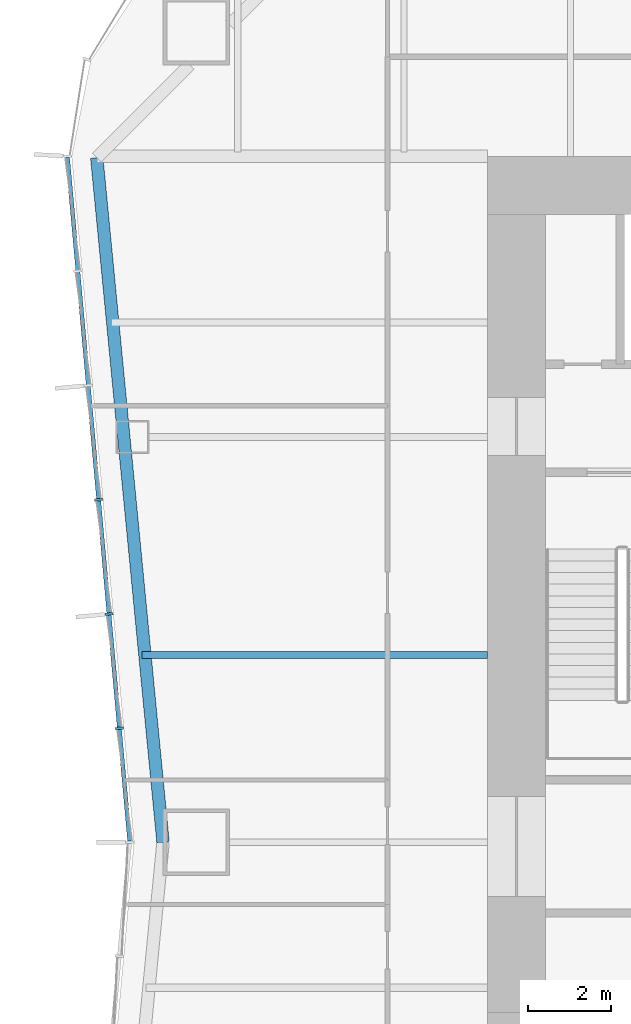
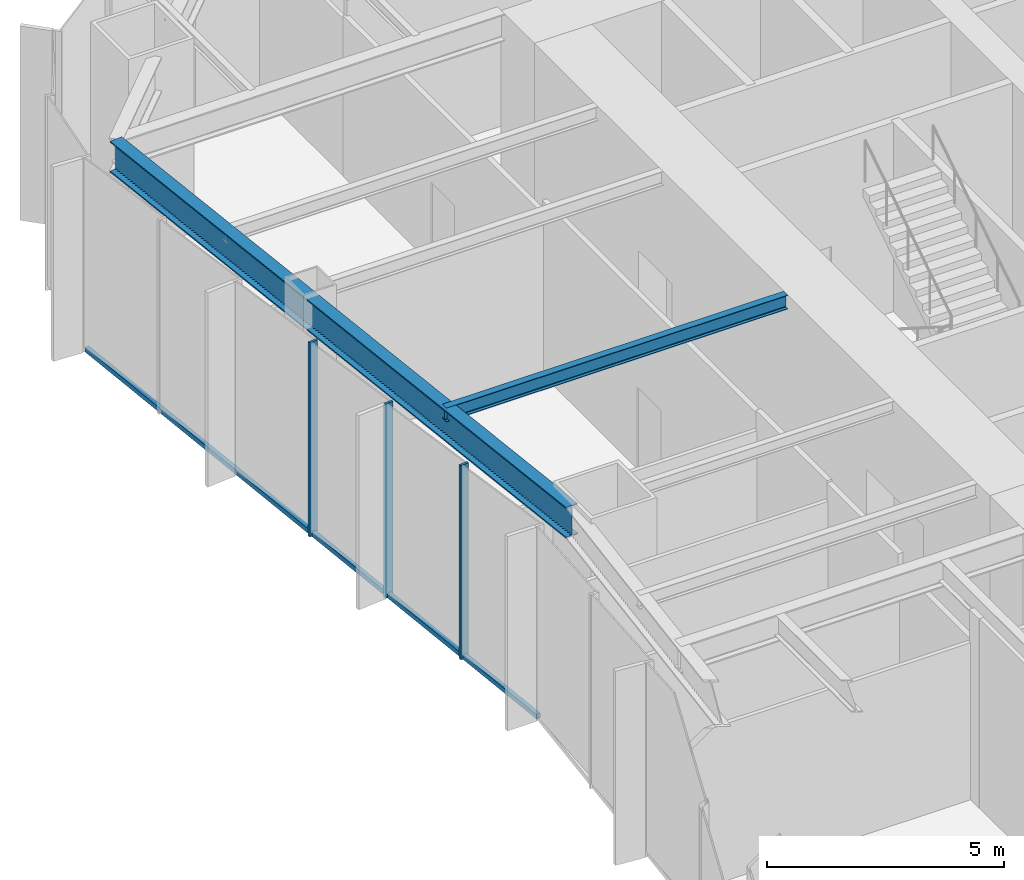
# One storey, part 3 of 14: 4 members, 2 beams, 1 element without a shape of its own.
"""IFC4 building model written with IfcOpenShell, lengths in metres."""

import ifcopenshell
import ifcopenshell.guid

model = None  # the IFC model being written
_history = None  # IfcOwnerHistory: only IFC2X3 demands one
_inside = {}  # id of a spatial element -> (the spatial element, [elements in it])
_under = {}  # id of a project, library or spatial element -> (it, [spatial elements below it])
_declared = {}  # id of a project -> (the project, [libraries it declares])
_typed = {}  # id of a type object -> (the type object, [elements of that type])
_made_of = {}  # id of a material, layer set ... -> (it, [elements and type objects made of it])


def new_model(schema):
    """Start an empty IFC model of exactly this schema.

    Asked for "IFC4X3", IfcOpenShell would pick the latest addendum, in which some entities
    have other attributes; the version numbers below select the first issue.
    IFC2X3 requires an IfcOwnerHistory on every rooted entity: one is made here for all.
    """
    global model, _history
    if schema == "IFC4X3":
        model = ifcopenshell.file(schema_version=(4, 3, 0, 0))
    else:
        model = ifcopenshell.file(schema=schema)
    _inside.clear()
    _under.clear()
    _declared.clear()
    _typed.clear()
    _made_of.clear()
    _history = None
    if model.schema == "IFC2X3":
        org = make("IfcOrganization", Name="unknown")
        user = make(
            "IfcPersonAndOrganization",
            ThePerson=make("IfcPerson", FamilyName="unknown"),
            TheOrganization=org,
        )
        app = make(
            "IfcApplication",
            ApplicationDeveloper=org,
            Version="unknown",
            ApplicationFullName="unknown",
            ApplicationIdentifier="unknown",
        )
        _history = make(
            "IfcOwnerHistory",
            OwningUser=user,
            OwningApplication=app,
            ChangeAction="ADDED",
            CreationDate=0,
        )
    return model


def make(cls, **values):
    """One entity of the class cls with the attributes given. An attribute that is None is left unset."""
    return model.create_entity(
        cls, **{name: value for name, value in values.items() if value is not None}
    )


def rooted(cls, **values):
    """An entity with a GlobalId (a new one), such as an element, a storey or a relation."""
    return make(cls, GlobalId=ifcopenshell.guid.new(), OwnerHistory=_history, **values)


def si_unit(unit_type, name, prefix=None):
    """IfcSIUnit, for example si_unit("LENGTHUNIT", "METRE", prefix="MILLI")."""
    return make("IfcSIUnit", UnitType=unit_type, Prefix=prefix, Name=name)


def assignment(units):
    """IfcUnitAssignment: the units of a project."""
    return None if units is None else make("IfcUnitAssignment", Units=units)


def point(xyz):
    """IfcCartesianPoint."""
    return None if xyz is None else make("IfcCartesianPoint", Coordinates=xyz)


def direction(xyz):
    """IfcDirection."""
    return None if xyz is None else make("IfcDirection", DirectionRatios=xyz)


def frame(location, z_axis=None, x_axis=None):
    """IfcAxis2Placement3D, a coordinate frame: its origin and axes. An axis left out is left unset."""
    return make(
        "IfcAxis2Placement3D",
        Location=point(location),
        Axis=direction(z_axis),
        RefDirection=direction(x_axis),
    )


def frame_2d(location, x_axis=None):
    """IfcAxis2Placement2D, a coordinate frame in the plane: its origin and x axis."""
    return make(
        "IfcAxis2Placement2D", Location=point(location), RefDirection=direction(x_axis)
    )


def origin():
    """The frame at (0, 0, 0) with its axes left unset."""
    return frame((0.0, 0.0, 0.0))


def origin_2d():
    """The frame at (0, 0) in the plane with its x axis left unset."""
    return frame_2d((0.0, 0.0))


def place(relative_to, where):
    """IfcLocalPlacement: puts the frame where relative to a parent placement (None: the world)."""
    return make(
        "IfcLocalPlacement", PlacementRelTo=relative_to, RelativePlacement=where
    )


def context(
    kind, dimensions, precision=None, world=None, true_north=None, identifier=None
):
    """IfcGeometricRepresentationContext, for example the 3D "Model" context."""
    return make(
        "IfcGeometricRepresentationContext",
        ContextIdentifier=identifier,
        ContextType=kind,
        CoordinateSpaceDimension=dimensions,
        Precision=precision,
        WorldCoordinateSystem=world,
        TrueNorth=true_north,
    )


def subcontext(parent, identifier, kind, view, scale=None):
    """IfcGeometricRepresentationSubContext, for example "Body" below "Model"."""
    return make(
        "IfcGeometricRepresentationSubContext",
        ContextIdentifier=identifier,
        ContextType=kind,
        ParentContext=parent,
        TargetScale=scale,
        TargetView=view,
    )


def project(units=None, contexts=None):
    """IfcProject with its units and contexts."""
    return rooted(
        "IfcProject",
        Name="project",
        RepresentationContexts=contexts,
        UnitsInContext=assignment(units),
    )


def spatial(cls, under=None, at=None, **own):
    """A site, building, storey or space (cls), placed at a placement, below another one or the project."""
    s = rooted(cls, ObjectPlacement=at, **own)
    if under is not None:
        _under.setdefault(under.id(), (under, []))[1].append(s)
    return s


def profile(cls, at=None, kind="AREA", **sizes):
    """A parametric profile (cls). Its sizes go by their IFC names, for example OverallWidth=200.0."""
    return make(cls, ProfileType=kind, Position=at, **sizes)


def rectangle(**sizes):
    """IfcRectangleProfileDef."""
    return profile("IfcRectangleProfileDef", **sizes)


def i_section(**sizes):
    """IfcIShapeProfileDef."""
    return profile("IfcIShapeProfileDef", **sizes)


def extrude(swept, where, along, depth):
    """IfcExtrudedAreaSolid: the profile swept, set in the frame where, extruded along a direction by depth."""
    return make(
        "IfcExtrudedAreaSolid",
        SweptArea=swept,
        Position=where,
        ExtrudedDirection=direction(along),
        Depth=depth,
    )


def shape(context_of_items, identifier, shape_type, items):
    """IfcShapeRepresentation: the items that make up one representation, for example the "Body"."""
    return make(
        "IfcShapeRepresentation",
        ContextOfItems=context_of_items,
        RepresentationIdentifier=identifier,
        RepresentationType=shape_type,
        Items=items,
    )


def material(Name=None, Category=None):
    """IfcMaterial."""
    return make("IfcMaterial", Name=Name, Category=Category)


def material_profile(
    of_material, cross_section, Name=None, Category=None, Priority=None
):
    """IfcMaterialProfile: a cross section and its material."""
    return make(
        "IfcMaterialProfile",
        Name=Name,
        Material=of_material,
        Profile=cross_section,
        Priority=Priority,
        Category=Category,
    )


def profile_set(profiles, Name=None, composite=None):
    """IfcMaterialProfileSet."""
    return make(
        "IfcMaterialProfileSet",
        Name=Name,
        MaterialProfiles=profiles,
        CompositeProfile=composite,
    )


def made_of(thing, what):
    """Note that an element or type object is made of a material, layer set ...; save() writes the relation."""
    if what is not None:
        _made_of.setdefault(what.id(), (what, []))[1].append(thing)
    return thing


def type_object(cls, material=None, **own):
    """A type object (cls), such as IfcWallType, which elements share."""
    return made_of(rooted(cls, **own), material)


def element(
    cls,
    number,
    at=None,
    inside=None,
    cuts=None,
    type_object=None,
    material=None,
    context=None,
    identifier="Body",
    shape_type=None,
    held_by="IfcProductDefinitionShape",
    body=None,
    shapes=None,
    **own,
):
    """One element of the class cls, such as IfcWall. Its Tag is "e" and its number.

    at: its placement. inside: the storey or other place that contains it. cuts: it is an
    opening in that element (IfcRelVoidsElement). A single representation is given by context,
    identifier, shape_type and body (its items); several are given by shapes. held_by: the class
    of the entity that holds the representations. save() writes the other relations.
    """
    e = rooted(cls, Tag="e%d" % number, ObjectPlacement=at, **own)
    if body is not None:
        shapes = [shape(context, identifier, shape_type, body)]
    if shapes is not None:
        e.Representation = make(held_by, Representations=shapes)
    if inside is not None:
        _inside.setdefault(inside.id(), (inside, []))[1].append(e)
    if cuts is not None:
        rooted(
            "IfcRelVoidsElement", RelatingBuildingElement=cuts, RelatedOpeningElement=e
        )
    if type_object is not None:
        _typed.setdefault(type_object.id(), (type_object, []))[1].append(e)
    return made_of(e, material)


def aggregate(whole, parts):
    """IfcRelAggregates: a whole, such as a stair, and the parts it consists of."""
    return rooted("IfcRelAggregates", RelatingObject=whole, RelatedObjects=parts)


def save(model, path):
    """Write the relations noted so far, then the file.

    IfcRelAggregates (storeys below a building ...), IfcRelContainedInSpatialStructure (elements
    in a storey), IfcRelDefinesByType, IfcRelAssociatesMaterial and IfcRelDeclares: one each for
    every whole, place, type object, material and project.
    """
    for whole, parts in _under.values():
        aggregate(whole, parts)
    for where, things in _inside.values():
        rooted(
            "IfcRelContainedInSpatialStructure",
            RelatedElements=things,
            RelatingStructure=where,
        )
    for kind, things in _typed.values():
        rooted("IfcRelDefinesByType", RelatedObjects=things, RelatingType=kind)
    for what, things in _made_of.values():
        rooted("IfcRelAssociatesMaterial", RelatedObjects=things, RelatingMaterial=what)
    for by, libraries in _declared.values():
        rooted("IfcRelDeclares", RelatingContext=by, RelatedDefinitions=libraries)
    model.write(path)


model = new_model("IFC4")

# Units and contexts
model_context = context("Model", 3, precision=1e-05, world=origin(), true_north=direction((0.0, 1.0)))
body_context = subcontext(model_context, "Body", "Model", "MODEL_VIEW")
ifc_project = project(units=[si_unit("LENGTHUNIT", "METRE"), si_unit("AREAUNIT", "SQUARE_METRE"), si_unit("VOLUMEUNIT", "CUBIC_METRE"), si_unit("PLANEANGLEUNIT", "RADIAN"), si_unit("MASSUNIT", "GRAM", prefix="KILO")], contexts=[model_context])

# Site, building, storey
site_placement = place(None, origin())
site = spatial("IfcSite", under=ifc_project, at=site_placement, CompositionType="ELEMENT")
building_placement = place(site_placement, origin())
building = spatial("IfcBuilding", under=site, at=building_placement, Name="Verdant Reach Tower", CompositionType="ELEMENT")
storey_placement = place(building_placement, frame((0.0, 0.0, 9.0)))
storey = spatial("IfcBuildingStorey", under=building, at=storey_placement, Name="L01", CompositionType="ELEMENT", Elevation=9.0)

# Curtain wall, members
ifc_material_1 = material(Name="Anodised aluminium", Category="aluminium")
curtain_wall_type = type_object("IfcCurtainWallType", Name="EN-CW SYSTEM Z0", PredefinedType="NOTDEFINED", material=ifc_material_1)
curtain_wall_placement = place(storey_placement, origin())
curtain_wall = element("IfcCurtainWall", 1, at=curtain_wall_placement, inside=storey, type_object=curtain_wall_type, Name="Curtain wall west, L01", PredefinedType="NOTDEFINED")
ifc_material_profile_1 = material_profile(ifc_material_1, rectangle(XDim=0.199951171875, YDim=0.06005859375, at=origin_2d()), Name="Mullion 60x200")
ifc_profile_set_1 = profile_set([ifc_material_profile_1], Name="Anodised aluminium")
member_type_1 = type_object("IfcMemberType", Name="EN-MULLION Z0", PredefinedType="MULLION", material=ifc_profile_set_1)
member_1_placement = place(storey_placement, frame((-23.349609375, 30.740966796875, -0.35009765625), z_axis=(0.0, 0.0, 1.0), x_axis=(-0.995893206467, -0.090535746047, 0.0)))
member_1 = element("IfcMember", 2, at=member_1_placement, type_object=member_type_1, Name="Mullion west face part 1 4, L01", PredefinedType="MULLION", context=body_context, shape_type="SweptSolid", body=[
    extrude(rectangle(XDim=0.199951171875, YDim=0.06005859375, at=origin_2d()), origin(), (0.0, 0.0, 1.0), 5.0),
])
member_2_placement = place(storey_placement, frame((-23.099609375, 27.990966796875, -0.35009765625), z_axis=(0.0, 0.0, 1.0), x_axis=(-0.995893206467, -0.090535746047, 0.0)))
member_2 = element("IfcMember", 3, at=member_2_placement, type_object=member_type_1, Name="Mullion west face part 1 5, L01", PredefinedType="MULLION", context=body_context, shape_type="SweptSolid", body=[
    extrude(rectangle(XDim=0.199951171875, YDim=0.06005859375, at=origin_2d()), origin(), (0.0, 0.0, 1.0), 5.0),
])
member_3_placement = place(storey_placement, frame((-22.849609375, 25.240966796875, -0.35009765625), z_axis=(0.0, 0.0, 1.0), x_axis=(-0.995893206467, -0.090535746047, 0.0)))
member_3 = element("IfcMember", 4, at=member_3_placement, type_object=member_type_1, Name="Mullion west face part 1 6, L01", PredefinedType="MULLION", context=body_context, shape_type="SweptSolid", body=[
    extrude(rectangle(XDim=0.199951171875, YDim=0.06005859375, at=origin_2d()), origin(), (0.0, 0.0, 1.0), 5.0),
])
ifc_material_profile_2 = material_profile(ifc_material_1, rectangle(XDim=0.10009765625, YDim=0.1201171875, at=origin_2d()), Name="Transom 120x100")
ifc_profile_set_2 = profile_set([ifc_material_profile_2], Name="Anodised aluminium")
member_type_2 = type_object("IfcMemberType", Name="EN-TRANSOM Z0", PredefinedType="USERDEFINED", material=ifc_profile_set_2)
member_4_placement = place(storey_placement, frame((-24.09716796875, 38.975341796875, -0.2900390625), z_axis=(0.090495755184, -0.995896841191, 0.0), x_axis=(0.995896841191, 0.090495755184, 0.0)))
member_4 = element("IfcMember", 5, at=member_4_placement, type_object=member_type_2, Name="Transom west face part 1 1.1, L01", ObjectType="TRANSOM", PredefinedType="USERDEFINED", context=body_context, shape_type="SweptSolid", body=[
    extrude(rectangle(XDim=0.10009765625, YDim=0.1201171875, at=origin_2d()), origin(), (0.0, 0.0, 1.0), 16.513427734375),
])
aggregate(curtain_wall, [member_1, member_2, member_3, member_4])

# Beams
ifc_material_2 = material(Name="Steel S355", Category="steel")
ifc_material_profile_3 = material_profile(ifc_material_2, i_section(OverallWidth=0.169921875, OverallDepth=0.360107421875, WebThickness=0.008056640625, FlangeThickness=0.0126953125, FilletRadius=0.01806640625, at=origin_2d()), Name="IPE 360")
ifc_profile_set_3 = profile_set([ifc_material_profile_3], Name="Steel S355")
beam_type_1 = type_object("IfcBeamType", Name="ST-JOIST-IPE360", PredefinedType="JOIST", material=ifc_profile_set_3)
beam_1_placement = place(storey_placement, frame((-14.0, 27.0, 4.68994140625), z_axis=(-1.0, 0.0, 0.0), x_axis=(0.0, -1.0, 0.0)))
element("IfcBeam", 6, at=beam_1_placement, inside=storey, type_object=beam_type_1, Name="Floor joist, L01", PredefinedType="JOIST", context=body_context, shape_type="SweptSolid", body=[
    extrude(i_section(OverallWidth=0.169921875, OverallDepth=0.360107421875, WebThickness=0.008056640625, FlangeThickness=0.0126953125, FilletRadius=0.01806640625, at=origin_2d()), origin(), (0.0, 0.0, 1.0), 8.306640625),
])
ifc_material_profile_4 = material_profile(ifc_material_2, i_section(OverallWidth=0.300048828125, OverallDepth=0.800048828125, WebThickness=0.017578125, FlangeThickness=0.032958984375, FilletRadius=0.030029296875, at=origin_2d()), Name="HEB 800")
ifc_profile_set_4 = profile_set([ifc_material_profile_4], Name="Steel S355")
beam_type_2 = type_object("IfcBeamType", Name="ST-SPANDREL-HEB800", PredefinedType="SPANDREL", material=ifc_profile_set_4)
beam_2_placement = place(storey_placement, frame((-21.800048828125, 22.5, 4.469970703125), z_axis=(-0.096372296695, 0.995345357366, 0.0), x_axis=(-0.995345357366, -0.096372296695, 0.0)))
element("IfcBeam", 7, at=beam_2_placement, inside=storey, type_object=beam_type_2, Name="Edge beam, L01", PredefinedType="SPANDREL", context=body_context, shape_type="SweptSolid", body=[
    extrude(i_section(OverallWidth=0.300048828125, OverallDepth=0.800048828125, WebThickness=0.017578125, FlangeThickness=0.032958984375, FilletRadius=0.030029296875, at=origin_2d()), origin(), (0.0, 0.0, 1.0), 16.544921875),
])

save(model, "model.ifc")
